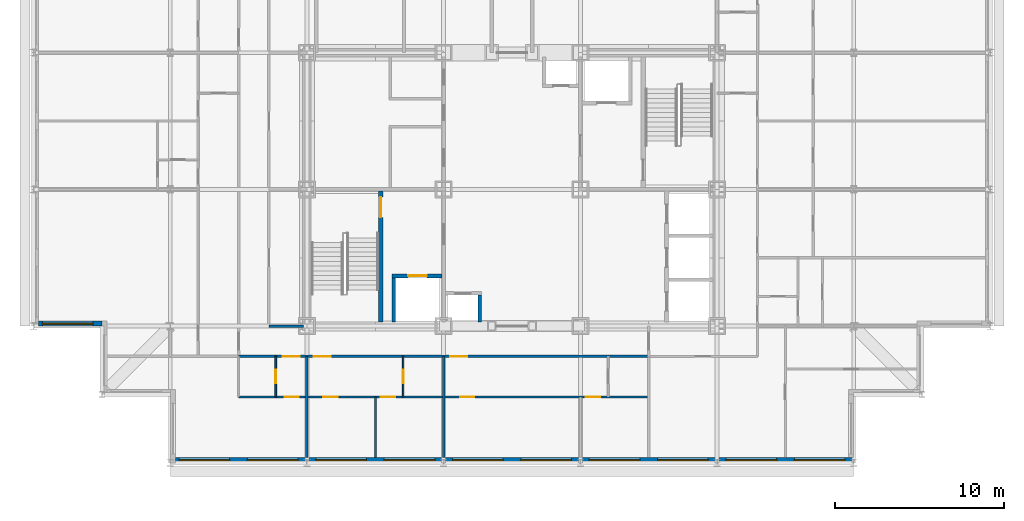
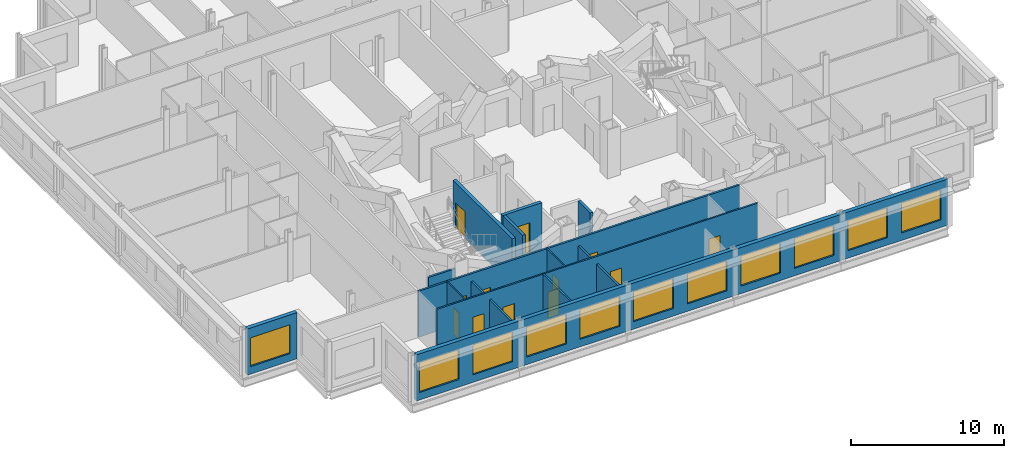
# One storey, part 7 of 15: 14 walls, 12 doors, 11 windows, 23 openings.
"""IFC4 building model written with IfcOpenShell, lengths in metres."""

from ifc_helpers import new_model, si_unit, direction, frame, frame_2d, origin, place, context, subcontext, project, spatial, rectangle, extrude, material, layer, layer_set, type_object, element, fill, save


model = new_model("IFC4")

# Units and contexts
model_context = context("Model", 3, precision=1e-05, world=origin(), true_north=direction((0.0, 1.0)))
body_context = subcontext(model_context, "Body", "Model", "MODEL_VIEW")
ifc_project = project(units=[si_unit("LENGTHUNIT", "METRE"), si_unit("AREAUNIT", "SQUARE_METRE"), si_unit("VOLUMEUNIT", "CUBIC_METRE"), si_unit("PLANEANGLEUNIT", "RADIAN"), si_unit("MASSUNIT", "GRAM", prefix="KILO")], contexts=[model_context])

# Site, building, storey
site_placement = place(None, origin())
site = spatial("IfcSite", under=ifc_project, at=site_placement, CompositionType="ELEMENT")
building_placement = place(site_placement, origin())
building = spatial("IfcBuilding", under=site, at=building_placement, Name="Kopane Lantern Tower", CompositionType="ELEMENT")
storey_placement = place(building_placement, frame((0.0, 0.0, 269.699951171875)))
storey = spatial("IfcBuildingStorey", under=building, at=storey_placement, Name="L69", CompositionType="ELEMENT", Elevation=269.699951171875)

# Wall
ifc_material_1 = material(Name="Gypsum board on steel studs", Category="steel")
ifc_layer_1 = layer(ifc_material_1, 0.1201171875)
ifc_layer_set_1 = layer_set([ifc_layer_1], Name="APARTMENT INTERNAL WALL 120")
wall_type_1 = type_object("IfcWallType", Name="APARTMENT INTERNAL WALL 120", PredefinedType="PARTITIONING", material=ifc_layer_set_1)
wall_1_placement = place(storey_placement, frame((20.25, 20.10009765625, 0.0), z_axis=(0.0, 0.0, 1.0), x_axis=(0.0, -1.0, 0.0)))
element("IfcWall", 1, at=wall_1_placement, inside=storey, type_object=wall_type_1, Name="Apartment Internal Wall 120 L69", PredefinedType="PARTITIONING", context=body_context, shape_type="SweptSolid", body=[
    extrude(rectangle(XDim=3.60009765625, YDim=0.1201171875, at=frame_2d((1.800048828125, 0.0))), origin(), (0.0, 0.0, 1.0), 3.68994140625),
])

# Wall, openings, doors
wall_2_placement = place(storey_placement, frame((12.14990234375, 20.10009765625, 0.0), z_axis=(0.0, 0.0, 1.0), x_axis=(1.0, 0.0, 0.0)))
wall_2 = element("IfcWall", 2, at=wall_2_placement, inside=storey, type_object=wall_type_1, Name="Apartment Internal Wall 120 L69", PredefinedType="PARTITIONING", context=body_context, shape_type="SweptSolid", body=[
    extrude(rectangle(XDim=24.300048828125, YDim=0.1201171875, at=frame_2d((12.14990234375, 0.0))), origin(), (0.0, 0.0, 1.0), 3.68994140625),
])
opening_1_placement = place(wall_2_placement, frame((5.02490234375, 0.0, 0.0)))
opening_1 = element("IfcOpeningElement", 3, at=opening_1_placement, cuts=wall_2, Name="Opening L69-010", PredefinedType="OPENING", context=body_context, shape_type="SweptSolid", body=[
    extrude(rectangle(XDim=0.85009765625, YDim=2.10009765625, at=frame_2d((0.425048828125, 1.050048828125))), frame((0.0, 0.070068359375, 0.0), z_axis=(0.0, -1.0, 0.0), x_axis=(1.0, 0.0, 0.0)), (0.0, 0.0, 1.0), 0.14013671875),
])
opening_2_placement = place(wall_2_placement, frame((8.425048828125, 0.0, 0.0)))
opening_2 = element("IfcOpeningElement", 4, at=opening_2_placement, cuts=wall_2, Name="Opening L69-011", PredefinedType="OPENING", context=body_context, shape_type="SweptSolid", body=[
    extrude(rectangle(XDim=0.85009765625, YDim=2.10009765625, at=frame_2d((0.425048828125, 1.050048828125))), frame((0.0, 0.070068359375, 0.0), z_axis=(0.0, -1.0, 0.0), x_axis=(1.0, 0.0, 0.0)), (0.0, 0.0, 1.0), 0.14013671875),
])
opening_3_placement = place(wall_2_placement, frame((13.125, 0.0, 0.0)))
opening_3 = element("IfcOpeningElement", 5, at=opening_3_placement, cuts=wall_2, Name="Opening L69-014", PredefinedType="OPENING", context=body_context, shape_type="SweptSolid", body=[
    extrude(rectangle(XDim=0.85009765625, YDim=2.10009765625, at=frame_2d((0.425048828125, 1.050048828125))), frame((0.0, 0.070068359375, 0.0), z_axis=(0.0, -1.0, 0.0), x_axis=(1.0, 0.0, 0.0)), (0.0, 0.0, 1.0), 0.14013671875),
])
opening_4_placement = place(wall_2_placement, frame((20.574951171875, 0.0, 0.0)))
opening_4 = element("IfcOpeningElement", 6, at=opening_4_placement, cuts=wall_2, Name="Opening L69-015", PredefinedType="OPENING", context=body_context, shape_type="SweptSolid", body=[
    extrude(rectangle(XDim=0.85009765625, YDim=2.10009765625, at=frame_2d((0.425048828125, 1.050048828125))), frame((0.0, 0.070068359375, 0.0), z_axis=(0.0, -1.0, 0.0), x_axis=(1.0, 0.0, 0.0)), (0.0, 0.0, 1.0), 0.14013671875),
])
opening_5_placement = place(wall_2_placement, frame((2.72509765625, 0.0, 0.0)))
opening_5 = element("IfcOpeningElement", 7, at=opening_5_placement, cuts=wall_2, Name="Opening L69-040", PredefinedType="OPENING", context=body_context, shape_type="SweptSolid", body=[
    extrude(rectangle(XDim=0.85009765625, YDim=2.10009765625, at=frame_2d((0.425048828125, 1.050048828125))), frame((0.0, 0.070068359375, 0.0), z_axis=(0.0, -1.0, 0.0), x_axis=(1.0, 0.0, 0.0)), (0.0, 0.0, 1.0), 0.14013671875),
])
ifc_material_2 = material(Name="Timber door set", Category="wood")
door_type_1 = type_object("IfcDoorType", Name="DOOR D4 850x2100", OperationType="SINGLE_SWING_LEFT", PredefinedType="DOOR", material=ifc_material_2)
door_1_placement = place(opening_1_placement, origin())
door_1 = element("IfcDoor", 8, at=door_1_placement, inside=storey, type_object=door_type_1, Name="Door L69-010", OperationType="SINGLE_SWING_LEFT", OverallHeight=2.10009765625, OverallWidth=0.85009765625, PredefinedType="DOOR", context=body_context, shape_type="SweptSolid", body=[
    extrude(rectangle(XDim=0.85009765625, YDim=2.10009765625, at=frame_2d((0.425048828125, 1.050048828125))), frame((0.0, 0.02490234375, 0.0), z_axis=(0.0, -1.0, 0.0), x_axis=(1.0, 0.0, 0.0)), (0.0, 0.0, 1.0), 0.050048828125),
])
fill(opening_1, door_1)
door_2_placement = place(opening_2_placement, origin())
door_2 = element("IfcDoor", 9, at=door_2_placement, inside=storey, type_object=door_type_1, Name="Door L69-011", OperationType="SINGLE_SWING_RIGHT", OverallHeight=2.10009765625, OverallWidth=0.85009765625, PredefinedType="DOOR", context=body_context, shape_type="SweptSolid", body=[
    extrude(rectangle(XDim=0.85009765625, YDim=2.10009765625, at=frame_2d((0.425048828125, 1.050048828125))), frame((0.0, 0.02490234375, 0.0), z_axis=(0.0, -1.0, 0.0), x_axis=(1.0, 0.0, 0.0)), (0.0, 0.0, 1.0), 0.050048828125),
])
fill(opening_2, door_2)
door_3_placement = place(opening_3_placement, origin())
door_3 = element("IfcDoor", 10, at=door_3_placement, inside=storey, type_object=door_type_1, Name="Door L69-014", OperationType="SINGLE_SWING_RIGHT", OverallHeight=2.10009765625, OverallWidth=0.85009765625, PredefinedType="DOOR", context=body_context, shape_type="SweptSolid", body=[
    extrude(rectangle(XDim=0.85009765625, YDim=2.10009765625, at=frame_2d((0.425048828125, 1.050048828125))), frame((0.0, 0.02490234375, 0.0), z_axis=(0.0, -1.0, 0.0), x_axis=(1.0, 0.0, 0.0)), (0.0, 0.0, 1.0), 0.050048828125),
])
fill(opening_3, door_3)
door_4_placement = place(opening_4_placement, origin())
door_4 = element("IfcDoor", 11, at=door_4_placement, inside=storey, type_object=door_type_1, Name="Door L69-015", OperationType="SINGLE_SWING_RIGHT", OverallHeight=2.10009765625, OverallWidth=0.85009765625, PredefinedType="DOOR", context=body_context, shape_type="SweptSolid", body=[
    extrude(rectangle(XDim=0.85009765625, YDim=2.10009765625, at=frame_2d((0.425048828125, 1.050048828125))), frame((0.0, 0.02490234375, 0.0), z_axis=(0.0, -1.0, 0.0), x_axis=(1.0, 0.0, 0.0)), (0.0, 0.0, 1.0), 0.050048828125),
])
fill(opening_4, door_4)
door_5_placement = place(opening_5_placement, origin())
door_5 = element("IfcDoor", 12, at=door_5_placement, inside=storey, type_object=door_type_1, Name="Door L69-040", OperationType="SINGLE_SWING_LEFT", OverallHeight=2.10009765625, OverallWidth=0.85009765625, PredefinedType="DOOR", context=body_context, shape_type="SweptSolid", body=[
    extrude(rectangle(XDim=0.85009765625, YDim=2.10009765625, at=frame_2d((0.425048828125, 1.050048828125))), frame((0.0, 0.02490234375, 0.0), z_axis=(0.0, -1.0, 0.0), x_axis=(1.0, 0.0, 0.0)), (0.0, 0.0, 1.0), 0.050048828125),
])
fill(opening_5, door_5)

# Wall, opening, door
ifc_material_3 = material(Name="Moisture-resistant board on steel studs", Category="steel")
ifc_layer_2 = layer(ifc_material_3, 0.10009765625)
ifc_layer_set_2 = layer_set([ifc_layer_2], Name="BATHROOM WALL 100")
wall_type_2 = type_object("IfcWallType", Name="BATHROOM WALL 100", PredefinedType="PARTITIONING", material=ifc_layer_set_2)
wall_3_placement = place(storey_placement, frame((21.89990234375, 22.5, 0.0), z_axis=(0.0, 0.0, 1.0), x_axis=(0.0, -1.0, 0.0)))
wall_3 = element("IfcWall", 13, at=wall_3_placement, inside=storey, type_object=wall_type_2, Name="Bathroom Wall 100 L69", PredefinedType="PARTITIONING", context=body_context, shape_type="SweptSolid", body=[
    extrude(rectangle(XDim=2.39990234375, YDim=0.10009765625, at=frame_2d((1.199951171875, 0.0))), origin(), (0.0, 0.0, 1.0), 3.68994140625),
])
opening_6_placement = place(wall_3_placement, frame((0.800048828125, 0.0, 0.0)))
opening_6 = element("IfcOpeningElement", 14, at=opening_6_placement, cuts=wall_3, Name="Opening L69-008", PredefinedType="OPENING", context=body_context, shape_type="SweptSolid", body=[
    extrude(rectangle(XDim=0.800048828125, YDim=2.10009765625, at=frame_2d((0.39990234375, 1.050048828125))), frame((0.0, 0.06005859375, 0.0), z_axis=(0.0, -1.0, 0.0), x_axis=(1.0, 0.0, 0.0)), (0.0, 0.0, 1.0), 0.1201171875),
])
ifc_material_4 = material(Name="Timber door set", Category="wood")
door_type_2 = type_object("IfcDoorType", Name="DOOR D2 800x2100", OperationType="SINGLE_SWING_LEFT", PredefinedType="DOOR", material=ifc_material_4)
door_6_placement = place(opening_6_placement, origin())
door_6 = element("IfcDoor", 15, at=door_6_placement, inside=storey, type_object=door_type_2, Name="Door L69-008", OperationType="SINGLE_SWING_LEFT", OverallHeight=2.10009765625, OverallWidth=0.800048828125, PredefinedType="DOOR", context=body_context, shape_type="SweptSolid", body=[
    extrude(rectangle(XDim=0.800048828125, YDim=2.10009765625, at=frame_2d((0.39990234375, 1.050048828125))), frame((0.0, 0.02490234375, 0.0), z_axis=(0.0, -1.0, 0.0), x_axis=(1.0, 0.0, 0.0)), (0.0, 0.0, 1.0), 0.050048828125),
])
fill(opening_6, door_6)

wall_4_placement = place(storey_placement, frame((14.35009765625, 22.5, 0.0), z_axis=(0.0, 0.0, 1.0), x_axis=(0.0, -1.0, 0.0)))
wall_4 = element("IfcWall", 16, at=wall_4_placement, inside=storey, type_object=wall_type_2, Name="Bathroom Wall 100 L69", PredefinedType="PARTITIONING", context=body_context, shape_type="SweptSolid", body=[
    extrude(rectangle(XDim=2.39990234375, YDim=0.10009765625, at=frame_2d((1.199951171875, 0.0))), origin(), (0.0, 0.0, 1.0), 3.68994140625),
])
opening_7_placement = place(wall_4_placement, frame((0.800048828125, 0.0, 0.0)))
opening_7 = element("IfcOpeningElement", 17, at=opening_7_placement, cuts=wall_4, Name="Opening L69-038", PredefinedType="OPENING", context=body_context, shape_type="SweptSolid", body=[
    extrude(rectangle(XDim=0.800048828125, YDim=2.10009765625, at=frame_2d((0.39990234375, 1.050048828125))), frame((0.0, 0.06005859375, 0.0), z_axis=(0.0, -1.0, 0.0), x_axis=(1.0, 0.0, 0.0)), (0.0, 0.0, 1.0), 0.1201171875),
])
door_7_placement = place(opening_7_placement, origin())
door_7 = element("IfcDoor", 18, at=door_7_placement, inside=storey, type_object=door_type_2, Name="Door L69-038", OperationType="SINGLE_SWING_RIGHT", OverallHeight=2.10009765625, OverallWidth=0.800048828125, PredefinedType="DOOR", context=body_context, shape_type="SweptSolid", body=[
    extrude(rectangle(XDim=0.800048828125, YDim=2.10009765625, at=frame_2d((0.39990234375, 1.050048828125))), frame((0.0, 0.02490234375, 0.0), z_axis=(0.0, -1.0, 0.0), x_axis=(1.0, 0.0, 0.0)), (0.0, 0.0, 1.0), 0.050048828125),
])
fill(opening_7, door_7)

ifc_material_5 = material(Name="Gypsum shaft wall EI 120", Category="gypsum")
ifc_layer_3 = layer(ifc_material_5, 0.25)
ifc_layer_set_3 = layer_set([ifc_layer_3], Name="CORE SHAFT WALL 250 EI 120")
wall_type_3 = type_object("IfcWallType", Name="CORE SHAFT WALL 250 EI 120", PredefinedType="SOLIDWALL", material=ifc_layer_set_3)
wall_5_placement = place(storey_placement, frame((20.574951171875, 24.550048828125, 0.0), z_axis=(0.0, 0.0, 1.0), x_axis=(0.0, 1.0, 0.0)))
wall_5 = element("IfcWall", 19, at=wall_5_placement, inside=storey, type_object=wall_type_3, Name="Core shaft wall L69 XST1", PredefinedType="SOLIDWALL", context=body_context, shape_type="SweptSolid", body=[
    extrude(rectangle(XDim=7.75, YDim=0.25, at=frame_2d((3.875, 0.0))), origin(), (0.0, 0.0, 1.0), 3.68994140625),
])
opening_8_placement = place(wall_5_placement, frame((6.199951171875, 0.0, 0.0)))
opening_8 = element("IfcOpeningElement", 20, at=opening_8_placement, cuts=wall_5, Name="Opening 69.SD1", PredefinedType="OPENING", context=body_context, shape_type="SweptSolid", body=[
    extrude(rectangle(XDim=1.199951171875, YDim=2.10009765625, at=frame_2d((0.60009765625, 1.050048828125))), frame((0.0, 0.135009765625, 0.0), z_axis=(0.0, -1.0, 0.0), x_axis=(1.0, 0.0, 0.0)), (0.0, 0.0, 1.0), 0.27001953125),
])
ifc_material_6 = material(Name="Steel door set", Category="steel")
door_type_3 = type_object("IfcDoorType", Name="STAIR DOOR 1200x2100 FD60S", OperationType="SINGLE_SWING_LEFT", PredefinedType="DOOR", material=ifc_material_6)
door_8_placement = place(opening_8_placement, origin())
door_8 = element("IfcDoor", 21, at=door_8_placement, inside=storey, type_object=door_type_3, Name="Stair door ST1 L69", OperationType="SINGLE_SWING_LEFT", OverallHeight=2.10009765625, OverallWidth=1.199951171875, PredefinedType="DOOR", context=body_context, shape_type="SweptSolid", body=[
    extrude(rectangle(XDim=1.199951171875, YDim=2.10009765625, at=frame_2d((0.60009765625, 1.050048828125))), frame((0.0, 0.02490234375, 0.0), z_axis=(0.0, -1.0, 0.0), x_axis=(1.0, 0.0, 0.0)), (0.0, 0.0, 1.0), 0.050048828125),
])
fill(opening_8, door_8)

wall_6_placement = place(storey_placement, frame((21.25, 27.27490234375, 0.0), z_axis=(0.0, 0.0, 1.0), x_axis=(1.0, 0.0, 0.0)))
wall_6 = element("IfcWall", 22, at=wall_6_placement, inside=storey, type_object=wall_type_3, Name="Core shaft wall L69 YLF1", PredefinedType="SOLIDWALL", context=body_context, shape_type="SweptSolid", body=[
    extrude(rectangle(XDim=2.949951171875, YDim=0.25, at=frame_2d((1.47509765625, 0.0))), origin(), (0.0, 0.0, 1.0), 3.68994140625),
])
opening_9_placement = place(wall_6_placement, frame((0.949951171875, 0.0, 0.0)))
opening_9 = element("IfcOpeningElement", 23, at=opening_9_placement, cuts=wall_6, Name="Opening 69.LD-LF1", PredefinedType="OPENING", context=body_context, shape_type="SweptSolid", body=[
    extrude(rectangle(XDim=1.10009765625, YDim=2.39990234375, at=frame_2d((0.550048828125, 1.199951171875))), frame((0.0, 0.135009765625, 0.0), z_axis=(0.0, -1.0, 0.0), x_axis=(1.0, 0.0, 0.0)), (0.0, 0.0, 1.0), 0.27001953125),
])
ifc_material_7 = material(Name="Steel door set", Category="steel")
door_type_4 = type_object("IfcDoorType", Name="LIFT LANDING DOOR 1100x2400 FD60", OperationType="DOUBLE_DOOR_SLIDING", PredefinedType="DOOR", material=ifc_material_7)
door_9_placement = place(opening_9_placement, origin())
door_9 = element("IfcDoor", 24, at=door_9_placement, inside=storey, type_object=door_type_4, Name="Landing door LF1 L69", OperationType="DOUBLE_DOOR_SLIDING", OverallHeight=2.39990234375, OverallWidth=1.10009765625, PredefinedType="DOOR", context=body_context, shape_type="SweptSolid", body=[
    extrude(rectangle(XDim=1.10009765625, YDim=2.39990234375, at=frame_2d((0.550048828125, 1.199951171875))), frame((0.0, 0.02490234375, 0.0), z_axis=(0.0, -1.0, 0.0), x_axis=(1.0, 0.0, 0.0)), (0.0, 0.0, 1.0), 0.050048828125),
])
fill(opening_9, door_9)

# Wall, openings, doors
ifc_material_8 = material(Name="Gypsum board on steel studs", Category="steel")
ifc_layer_4 = layer(ifc_material_8, 0.14990234375)
ifc_layer_set_4 = layer_set([ifc_layer_4], Name="CORRIDOR WALL 150 EI 60")
wall_type_4 = type_object("IfcWallType", Name="CORRIDOR WALL 150 EI 60", PredefinedType="PARTITIONING", material=ifc_layer_set_4)
wall_7_placement = place(storey_placement, frame((12.14990234375, 22.5, 0.0), z_axis=(0.0, 0.0, 1.0), x_axis=(1.0, 0.0, 0.0)))
wall_7 = element("IfcWall", 25, at=wall_7_placement, inside=storey, type_object=wall_type_4, Name="Corridor Wall 150 Ei 60 L69", PredefinedType="PARTITIONING", context=body_context, shape_type="SweptSolid", body=[
    extrude(rectangle(XDim=24.300048828125, YDim=0.14990234375, at=frame_2d((12.14990234375, 0.0))), origin(), (0.0, 0.0, 1.0), 3.68994140625),
])
opening_10_placement = place(wall_7_placement, frame((4.449951171875, 0.0, 0.0)))
opening_10 = element("IfcOpeningElement", 26, at=opening_10_placement, cuts=wall_7, Name="Opening L69-009", PredefinedType="OPENING", context=body_context, shape_type="SweptSolid", body=[
    extrude(rectangle(XDim=1.0, YDim=2.10009765625, at=frame_2d((0.5, 1.050048828125))), frame((0.0, 0.0849609375, 0.0), z_axis=(0.0, -1.0, 0.0), x_axis=(1.0, 0.0, 0.0)), (0.0, 0.0, 1.0), 0.169921875),
])
opening_11_placement = place(wall_7_placement, frame((12.550048828125, 0.0, 0.0)))
opening_11 = element("IfcOpeningElement", 27, at=opening_11_placement, cuts=wall_7, Name="Opening L69-013", PredefinedType="OPENING", context=body_context, shape_type="SweptSolid", body=[
    extrude(rectangle(XDim=1.0, YDim=2.10009765625, at=frame_2d((0.5, 1.050048828125))), frame((0.0, 0.0849609375, 0.0), z_axis=(0.0, -1.0, 0.0), x_axis=(1.0, 0.0, 0.0)), (0.0, 0.0, 1.0), 0.169921875),
])
opening_12_placement = place(wall_7_placement, frame((2.625, 0.0, 0.0)))
opening_12 = element("IfcOpeningElement", 28, at=opening_12_placement, cuts=wall_7, Name="Opening L69-039", PredefinedType="OPENING", context=body_context, shape_type="SweptSolid", body=[
    extrude(rectangle(XDim=1.0, YDim=2.10009765625, at=frame_2d((0.5, 1.050048828125))), frame((0.0, 0.0849609375, 0.0), z_axis=(0.0, -1.0, 0.0), x_axis=(1.0, 0.0, 0.0)), (0.0, 0.0, 1.0), 0.169921875),
])
ifc_material_9 = material(Name="Steel door set", Category="steel")
door_type_5 = type_object("IfcDoorType", Name="DOOR D3 1000x2100 FD30S", OperationType="SINGLE_SWING_LEFT", PredefinedType="DOOR", material=ifc_material_9)
door_10_placement = place(opening_10_placement, origin())
door_10 = element("IfcDoor", 29, at=door_10_placement, inside=storey, type_object=door_type_5, Name="Door L69-009", OperationType="SINGLE_SWING_RIGHT", OverallHeight=2.10009765625, OverallWidth=1.0, PredefinedType="DOOR", context=body_context, shape_type="SweptSolid", body=[
    extrude(rectangle(XDim=1.0, YDim=2.10009765625, at=frame_2d((0.5, 1.050048828125))), frame((0.0, 0.02490234375, 0.0), z_axis=(0.0, -1.0, 0.0), x_axis=(1.0, 0.0, 0.0)), (0.0, 0.0, 1.0), 0.050048828125),
])
fill(opening_10, door_10)
door_11_placement = place(opening_11_placement, origin())
door_11 = element("IfcDoor", 30, at=door_11_placement, inside=storey, type_object=door_type_5, Name="Door L69-013", OperationType="SINGLE_SWING_RIGHT", OverallHeight=2.10009765625, OverallWidth=1.0, PredefinedType="DOOR", context=body_context, shape_type="SweptSolid", body=[
    extrude(rectangle(XDim=1.0, YDim=2.10009765625, at=frame_2d((0.5, 1.050048828125))), frame((0.0, 0.02490234375, 0.0), z_axis=(0.0, -1.0, 0.0), x_axis=(1.0, 0.0, 0.0)), (0.0, 0.0, 1.0), 0.050048828125),
])
fill(opening_11, door_11)
door_12_placement = place(opening_12_placement, origin())
door_12 = element("IfcDoor", 31, at=door_12_placement, inside=storey, type_object=door_type_5, Name="Door L69-039", OperationType="SINGLE_SWING_RIGHT", OverallHeight=2.10009765625, OverallWidth=1.0, PredefinedType="DOOR", context=body_context, shape_type="SweptSolid", body=[
    extrude(rectangle(XDim=1.0, YDim=2.10009765625, at=frame_2d((0.5, 1.050048828125))), frame((0.0, 0.02490234375, 0.0), z_axis=(0.0, -1.0, 0.0), x_axis=(1.0, 0.0, 0.0)), (0.0, 0.0, 1.0), 0.050048828125),
])
fill(opening_12, door_12)

# Walls
wall_8_placement = place(storey_placement, frame((16.0, 24.300048828125, 0.0), z_axis=(0.0, 0.0, 1.0), x_axis=(-1.0, 0.0, 0.0)))
element("IfcWall", 32, at=wall_8_placement, inside=storey, type_object=wall_type_4, Name="Corridor Wall 150 Ei 60 L69", PredefinedType="PARTITIONING", context=body_context, shape_type="SweptSolid", body=[
    extrude(rectangle(XDim=2.050048828125, YDim=0.14990234375, at=frame_2d((1.02490234375, 0.0))), origin(), (0.0, 0.0, 1.0), 3.077880859375),
])
ifc_material_10 = material(Name="Gypsum board on steel studs", Category="steel")
ifc_layer_5 = layer(ifc_material_10, 0.14990234375)
ifc_layer_set_5 = layer_set([ifc_layer_5], Name="DEMISING WALL 150 EI 60")
wall_type_5 = type_object("IfcWallType", Name="DEMISING WALL 150 EI 60", PredefinedType="PARTITIONING", material=ifc_layer_set_5)
for number, where, z_axis, x_axis, name in (
    (33, (24.300048828125, 22.5, 0.0), (0.0, 0.0, 1.0), (0.0, -1.0, 0.0), "Demising Wall 150 Ei 60 L69"),
    (34, (16.199951171875, 22.5, 0.0), (0.0, 0.0, 1.0), (0.0, -1.0, 0.0), "Demising Wall 150 Ei 60 L69"),
):
    element("IfcWall", number, at=place(storey_placement, frame(where, z_axis=z_axis, x_axis=x_axis)), inside=storey, type_object=wall_type_5, Name=name, PredefinedType="PARTITIONING", context=body_context, shape_type="SweptSolid", body=[
        extrude(rectangle(XDim=6.0, YDim=0.14990234375, at=frame_2d((3.0, 0.0))), origin(), (0.0, 0.0, 1.0), 3.077880859375),
    ])

# Wall, openings, windows
ifc_material_11 = material(Name="Terracotta rainscreen on light steel framing", Category="masonry")
ifc_layer_6 = layer(ifc_material_11, 0.300048828125)
ifc_layer_set_6 = layer_set([ifc_layer_6], Name="EXTERNAL WALL EW1 300 TERRACOTTA")
wall_type_6 = type_object("IfcWallType", Name="EXTERNAL WALL EW1 300 TERRACOTTA", PredefinedType="SOLIDWALL", material=ifc_layer_set_6)
wall_9_placement = place(storey_placement, frame((8.39990234375, 16.35009765625, 0.0), z_axis=(0.0, 0.0, 1.0), x_axis=(1.0, 0.0, 0.0)))
wall_9 = element("IfcWall", 35, at=wall_9_placement, inside=storey, type_object=wall_type_6, Name="External wall S L69", PredefinedType="SOLIDWALL", context=body_context, shape_type="SweptSolid", body=[
    extrude(rectangle(XDim=40.2001953125, YDim=0.300048828125, at=frame_2d((20.10009765625, 0.0))), origin(), (0.0, 0.0, 1.0), 3.68994140625),
])
opening_13_placement = place(wall_9_placement, frame((0.22509765625, 0.0, 0.60009765625)))
opening_13 = element("IfcOpeningElement", 36, at=opening_13_placement, cuts=wall_9, Name="Opening WR300240", PredefinedType="OPENING", context=body_context, shape_type="SweptSolid", body=[
    extrude(rectangle(XDim=3.0, YDim=2.39990234375, at=frame_2d((1.5, 1.199951171875))), frame((0.0, 0.159912109375, 0.0), z_axis=(0.0, -1.0, 0.0), x_axis=(1.0, 0.0, 0.0)), (0.0, 0.0, 1.0), 0.320068359375),
])
opening_14_placement = place(wall_9_placement, frame((4.27490234375, 0.0, 0.60009765625)))
opening_14 = element("IfcOpeningElement", 37, at=opening_14_placement, cuts=wall_9, Name="Opening WR300240", PredefinedType="OPENING", context=body_context, shape_type="SweptSolid", body=[
    extrude(rectangle(XDim=3.0, YDim=2.39990234375, at=frame_2d((1.5, 1.199951171875))), frame((0.0, 0.159912109375, 0.0), z_axis=(0.0, -1.0, 0.0), x_axis=(1.0, 0.0, 0.0)), (0.0, 0.0, 1.0), 0.320068359375),
])
opening_15_placement = place(wall_9_placement, frame((8.324951171875, 0.0, 0.60009765625)))
opening_15 = element("IfcOpeningElement", 38, at=opening_15_placement, cuts=wall_9, Name="Opening WR300240", PredefinedType="OPENING", context=body_context, shape_type="SweptSolid", body=[
    extrude(rectangle(XDim=3.0, YDim=2.39990234375, at=frame_2d((1.5, 1.199951171875))), frame((0.0, 0.159912109375, 0.0), z_axis=(0.0, -1.0, 0.0), x_axis=(1.0, 0.0, 0.0)), (0.0, 0.0, 1.0), 0.320068359375),
])
opening_16_placement = place(wall_9_placement, frame((12.375, 0.0, 0.60009765625)))
opening_16 = element("IfcOpeningElement", 39, at=opening_16_placement, cuts=wall_9, Name="Opening WR300240", PredefinedType="OPENING", context=body_context, shape_type="SweptSolid", body=[
    extrude(rectangle(XDim=3.0, YDim=2.39990234375, at=frame_2d((1.5, 1.199951171875))), frame((0.0, 0.159912109375, 0.0), z_axis=(0.0, -1.0, 0.0), x_axis=(1.0, 0.0, 0.0)), (0.0, 0.0, 1.0), 0.320068359375),
])
opening_17_placement = place(wall_9_placement, frame((16.425048828125, 0.0, 0.60009765625)))
opening_17 = element("IfcOpeningElement", 40, at=opening_17_placement, cuts=wall_9, Name="Opening WR300240", PredefinedType="OPENING", context=body_context, shape_type="SweptSolid", body=[
    extrude(rectangle(XDim=3.0, YDim=2.39990234375, at=frame_2d((1.5, 1.199951171875))), frame((0.0, 0.159912109375, 0.0), z_axis=(0.0, -1.0, 0.0), x_axis=(1.0, 0.0, 0.0)), (0.0, 0.0, 1.0), 0.320068359375),
])
opening_18_placement = place(wall_9_placement, frame((20.47509765625, 0.0, 0.60009765625)))
opening_18 = element("IfcOpeningElement", 41, at=opening_18_placement, cuts=wall_9, Name="Opening WR300240", PredefinedType="OPENING", context=body_context, shape_type="SweptSolid", body=[
    extrude(rectangle(XDim=3.0, YDim=2.39990234375, at=frame_2d((1.5, 1.199951171875))), frame((0.0, 0.159912109375, 0.0), z_axis=(0.0, -1.0, 0.0), x_axis=(1.0, 0.0, 0.0)), (0.0, 0.0, 1.0), 0.320068359375),
])
opening_19_placement = place(wall_9_placement, frame((24.52490234375, 0.0, 0.60009765625)))
opening_19 = element("IfcOpeningElement", 42, at=opening_19_placement, cuts=wall_9, Name="Opening WR300240", PredefinedType="OPENING", context=body_context, shape_type="SweptSolid", body=[
    extrude(rectangle(XDim=3.0, YDim=2.39990234375, at=frame_2d((1.5, 1.199951171875))), frame((0.0, 0.159912109375, 0.0), z_axis=(0.0, -1.0, 0.0), x_axis=(1.0, 0.0, 0.0)), (0.0, 0.0, 1.0), 0.320068359375),
])
opening_20_placement = place(wall_9_placement, frame((28.574951171875, 0.0, 0.60009765625)))
opening_20 = element("IfcOpeningElement", 43, at=opening_20_placement, cuts=wall_9, Name="Opening WR300240", PredefinedType="OPENING", context=body_context, shape_type="SweptSolid", body=[
    extrude(rectangle(XDim=3.0, YDim=2.39990234375, at=frame_2d((1.5, 1.199951171875))), frame((0.0, 0.159912109375, 0.0), z_axis=(0.0, -1.0, 0.0), x_axis=(1.0, 0.0, 0.0)), (0.0, 0.0, 1.0), 0.320068359375),
])
opening_21_placement = place(wall_9_placement, frame((32.625, 0.0, 0.60009765625)))
opening_21 = element("IfcOpeningElement", 44, at=opening_21_placement, cuts=wall_9, Name="Opening WR300240", PredefinedType="OPENING", context=body_context, shape_type="SweptSolid", body=[
    extrude(rectangle(XDim=3.0, YDim=2.39990234375, at=frame_2d((1.5, 1.199951171875))), frame((0.0, 0.159912109375, 0.0), z_axis=(0.0, -1.0, 0.0), x_axis=(1.0, 0.0, 0.0)), (0.0, 0.0, 1.0), 0.320068359375),
])
opening_22_placement = place(wall_9_placement, frame((36.675048828125, 0.0, 0.60009765625)))
opening_22 = element("IfcOpeningElement", 45, at=opening_22_placement, cuts=wall_9, Name="Opening WR300240", PredefinedType="OPENING", context=body_context, shape_type="SweptSolid", body=[
    extrude(rectangle(XDim=3.0, YDim=2.39990234375, at=frame_2d((1.5, 1.199951171875))), frame((0.0, 0.159912109375, 0.0), z_axis=(0.0, -1.0, 0.0), x_axis=(1.0, 0.0, 0.0)), (0.0, 0.0, 1.0), 0.320068359375),
])
ifc_material_12 = material(Name="Aluminium and clear glass", Category="aluminium")
window_type_1 = type_object("IfcWindowType", Name="RIBBON WINDOW WR300240 3000x2400", PartitioningType="SINGLE_PANEL", PredefinedType="WINDOW", material=ifc_material_12)
window_1_placement = place(opening_13_placement, origin())
window_1 = element("IfcWindow", 46, at=window_1_placement, inside=storey, type_object=window_type_1, Name="Window S L69", OverallHeight=2.39990234375, OverallWidth=3.0, PartitioningType="SINGLE_PANEL", PredefinedType="WINDOW", context=body_context, shape_type="SweptSolid", body=[
    extrude(rectangle(XDim=3.0, YDim=2.39990234375, at=frame_2d((1.5, 1.199951171875))), frame((0.0, 0.030029296875, 0.0), z_axis=(0.0, -1.0, 0.0), x_axis=(1.0, 0.0, 0.0)), (0.0, 0.0, 1.0), 0.06005859375),
])
fill(opening_13, window_1)
window_2_placement = place(opening_14_placement, origin())
window_2 = element("IfcWindow", 47, at=window_2_placement, inside=storey, type_object=window_type_1, Name="Window S L69", OverallHeight=2.39990234375, OverallWidth=3.0, PartitioningType="SINGLE_PANEL", PredefinedType="WINDOW", context=body_context, shape_type="SweptSolid", body=[
    extrude(rectangle(XDim=3.0, YDim=2.39990234375, at=frame_2d((1.5, 1.199951171875))), frame((0.0, 0.030029296875, 0.0), z_axis=(0.0, -1.0, 0.0), x_axis=(1.0, 0.0, 0.0)), (0.0, 0.0, 1.0), 0.06005859375),
])
fill(opening_14, window_2)
window_3_placement = place(opening_15_placement, origin())
window_3 = element("IfcWindow", 48, at=window_3_placement, inside=storey, type_object=window_type_1, Name="Window S L69", OverallHeight=2.39990234375, OverallWidth=3.0, PartitioningType="SINGLE_PANEL", PredefinedType="WINDOW", context=body_context, shape_type="SweptSolid", body=[
    extrude(rectangle(XDim=3.0, YDim=2.39990234375, at=frame_2d((1.5, 1.199951171875))), frame((0.0, 0.030029296875, 0.0), z_axis=(0.0, -1.0, 0.0), x_axis=(1.0, 0.0, 0.0)), (0.0, 0.0, 1.0), 0.06005859375),
])
fill(opening_15, window_3)
window_4_placement = place(opening_16_placement, origin())
window_4 = element("IfcWindow", 49, at=window_4_placement, inside=storey, type_object=window_type_1, Name="Window S L69", OverallHeight=2.39990234375, OverallWidth=3.0, PartitioningType="SINGLE_PANEL", PredefinedType="WINDOW", context=body_context, shape_type="SweptSolid", body=[
    extrude(rectangle(XDim=3.0, YDim=2.39990234375, at=frame_2d((1.5, 1.199951171875))), frame((0.0, 0.030029296875, 0.0), z_axis=(0.0, -1.0, 0.0), x_axis=(1.0, 0.0, 0.0)), (0.0, 0.0, 1.0), 0.06005859375),
])
fill(opening_16, window_4)
window_5_placement = place(opening_17_placement, origin())
window_5 = element("IfcWindow", 50, at=window_5_placement, inside=storey, type_object=window_type_1, Name="Window S L69", OverallHeight=2.39990234375, OverallWidth=3.0, PartitioningType="SINGLE_PANEL", PredefinedType="WINDOW", context=body_context, shape_type="SweptSolid", body=[
    extrude(rectangle(XDim=3.0, YDim=2.39990234375, at=frame_2d((1.5, 1.199951171875))), frame((0.0, 0.030029296875, 0.0), z_axis=(0.0, -1.0, 0.0), x_axis=(1.0, 0.0, 0.0)), (0.0, 0.0, 1.0), 0.06005859375),
])
fill(opening_17, window_5)
window_6_placement = place(opening_18_placement, origin())
window_6 = element("IfcWindow", 51, at=window_6_placement, inside=storey, type_object=window_type_1, Name="Window S L69", OverallHeight=2.39990234375, OverallWidth=3.0, PartitioningType="SINGLE_PANEL", PredefinedType="WINDOW", context=body_context, shape_type="SweptSolid", body=[
    extrude(rectangle(XDim=3.0, YDim=2.39990234375, at=frame_2d((1.5, 1.199951171875))), frame((0.0, 0.030029296875, 0.0), z_axis=(0.0, -1.0, 0.0), x_axis=(1.0, 0.0, 0.0)), (0.0, 0.0, 1.0), 0.06005859375),
])
fill(opening_18, window_6)
window_7_placement = place(opening_19_placement, origin())
window_7 = element("IfcWindow", 52, at=window_7_placement, inside=storey, type_object=window_type_1, Name="Window S L69", OverallHeight=2.39990234375, OverallWidth=3.0, PartitioningType="SINGLE_PANEL", PredefinedType="WINDOW", context=body_context, shape_type="SweptSolid", body=[
    extrude(rectangle(XDim=3.0, YDim=2.39990234375, at=frame_2d((1.5, 1.199951171875))), frame((0.0, 0.030029296875, 0.0), z_axis=(0.0, -1.0, 0.0), x_axis=(1.0, 0.0, 0.0)), (0.0, 0.0, 1.0), 0.06005859375),
])
fill(opening_19, window_7)
window_8_placement = place(opening_20_placement, origin())
window_8 = element("IfcWindow", 53, at=window_8_placement, inside=storey, type_object=window_type_1, Name="Window S L69", OverallHeight=2.39990234375, OverallWidth=3.0, PartitioningType="SINGLE_PANEL", PredefinedType="WINDOW", context=body_context, shape_type="SweptSolid", body=[
    extrude(rectangle(XDim=3.0, YDim=2.39990234375, at=frame_2d((1.5, 1.199951171875))), frame((0.0, 0.030029296875, 0.0), z_axis=(0.0, -1.0, 0.0), x_axis=(1.0, 0.0, 0.0)), (0.0, 0.0, 1.0), 0.06005859375),
])
fill(opening_20, window_8)
window_9_placement = place(opening_21_placement, origin())
window_9 = element("IfcWindow", 54, at=window_9_placement, inside=storey, type_object=window_type_1, Name="Window S L69", OverallHeight=2.39990234375, OverallWidth=3.0, PartitioningType="SINGLE_PANEL", PredefinedType="WINDOW", context=body_context, shape_type="SweptSolid", body=[
    extrude(rectangle(XDim=3.0, YDim=2.39990234375, at=frame_2d((1.5, 1.199951171875))), frame((0.0, 0.030029296875, 0.0), z_axis=(0.0, -1.0, 0.0), x_axis=(1.0, 0.0, 0.0)), (0.0, 0.0, 1.0), 0.06005859375),
])
fill(opening_21, window_9)
window_10_placement = place(opening_22_placement, origin())
window_10 = element("IfcWindow", 55, at=window_10_placement, inside=storey, type_object=window_type_1, Name="Window S L69", OverallHeight=2.39990234375, OverallWidth=3.0, PartitioningType="SINGLE_PANEL", PredefinedType="WINDOW", context=body_context, shape_type="SweptSolid", body=[
    extrude(rectangle(XDim=3.0, YDim=2.39990234375, at=frame_2d((1.5, 1.199951171875))), frame((0.0, 0.030029296875, 0.0), z_axis=(0.0, -1.0, 0.0), x_axis=(1.0, 0.0, 0.0)), (0.0, 0.0, 1.0), 0.06005859375),
])
fill(opening_22, window_10)

# Wall, opening, window
wall_10_placement = place(storey_placement, frame((0.300048828125, 24.449951171875, 0.0), z_axis=(0.0, 0.0, 1.0), x_axis=(1.0, 0.0, 0.0)))
wall_10 = element("IfcWall", 56, at=wall_10_placement, inside=storey, type_object=wall_type_6, Name="External wall S L69", PredefinedType="SOLIDWALL", context=body_context, shape_type="SweptSolid", body=[
    extrude(rectangle(XDim=3.75, YDim=0.300048828125, at=frame_2d((1.875, 0.0))), origin(), (0.0, 0.0, 1.0), 3.68994140625),
])
opening_23_placement = place(wall_10_placement, frame((0.22509765625, 0.0, 0.60009765625)))
opening_23 = element("IfcOpeningElement", 57, at=opening_23_placement, cuts=wall_10, Name="Opening WR300230", PredefinedType="OPENING", context=body_context, shape_type="SweptSolid", body=[
    extrude(rectangle(XDim=3.0, YDim=2.300048828125, at=frame_2d((1.5, 1.14990234375))), frame((0.0, 0.159912109375, 0.0), z_axis=(0.0, -1.0, 0.0), x_axis=(1.0, 0.0, 0.0)), (0.0, 0.0, 1.0), 0.320068359375),
])
ifc_material_13 = material(Name="Aluminium and clear glass", Category="aluminium")
window_type_2 = type_object("IfcWindowType", Name="RIBBON WINDOW WR300230 3000x2300", PartitioningType="SINGLE_PANEL", PredefinedType="WINDOW", material=ifc_material_13)
window_11_placement = place(opening_23_placement, origin())
window_11 = element("IfcWindow", 58, at=window_11_placement, inside=storey, type_object=window_type_2, Name="Window S L69", OverallHeight=2.300048828125, OverallWidth=3.0, PartitioningType="SINGLE_PANEL", PredefinedType="WINDOW", context=body_context, shape_type="SweptSolid", body=[
    extrude(rectangle(XDim=3.0, YDim=2.300048828125, at=frame_2d((1.5, 1.14990234375))), frame((0.0, 0.030029296875, 0.0), z_axis=(0.0, -1.0, 0.0), x_axis=(1.0, 0.0, 0.0)), (0.0, 0.0, 1.0), 0.06005859375),
])
fill(opening_23, window_11)

# Walls
ifc_material_14 = material(Name="Gypsum shaft wall EI 120", Category="gypsum")
ifc_layer_7 = layer(ifc_material_14, 0.199951171875)
ifc_layer_set_7 = layer_set([ifc_layer_7], Name="SHAFT WALL 200 EI 120")
wall_type_7 = type_object("IfcWallType", Name="SHAFT WALL 200 EI 120", PredefinedType="SOLIDWALL", material=ifc_layer_set_7)
wall_11_placement = place(storey_placement, frame((21.35009765625, 24.550048828125, 0.0), z_axis=(0.0, 0.0, 1.0), x_axis=(0.0, 1.0, 0.0)))
element("IfcWall", 59, at=wall_11_placement, inside=storey, type_object=wall_type_7, Name="Core shaft wall L69 XLF1", PredefinedType="SOLIDWALL", context=body_context, shape_type="SweptSolid", body=[
    extrude(rectangle(XDim=2.599853515625, YDim=0.199951171875, at=frame_2d((1.2998046875, 0.0))), origin(), (0.0, 0.0, 1.0), 3.68994140625),
])
wall_12_placement = place(storey_placement, frame((26.449951171875, 24.550048828125, 0.0), z_axis=(0.0, 0.0, 1.0), x_axis=(0.0, 1.0, 0.0)))
element("IfcWall", 60, at=wall_12_placement, inside=storey, type_object=wall_type_7, Name="Core shaft wall L69 XRS1", PredefinedType="SOLIDWALL", context=body_context, shape_type="SweptSolid", body=[
    extrude(rectangle(XDim=1.599853515625, YDim=0.199951171875, at=frame_2d((0.7998046875, 0.0))), origin(), (0.0, 0.0, 1.0), 3.68994140625),
])

save(model, "model.ifc")
